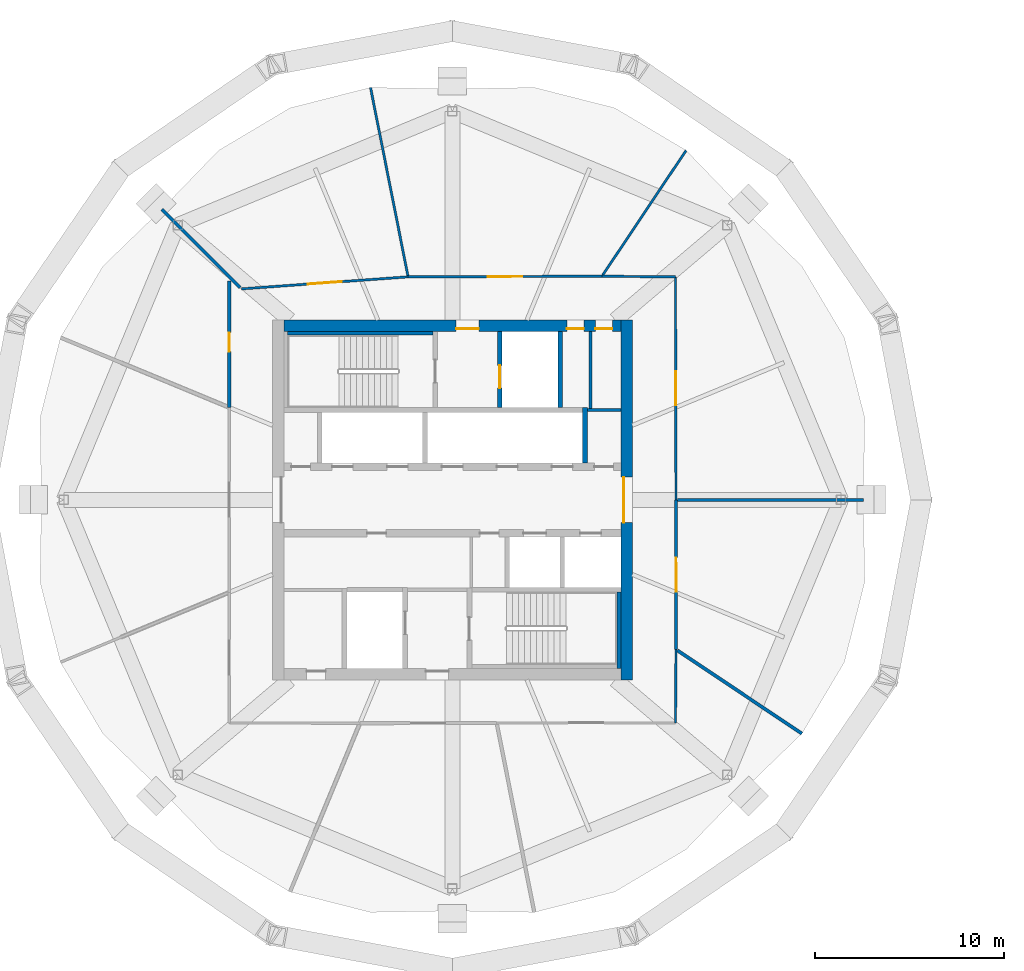
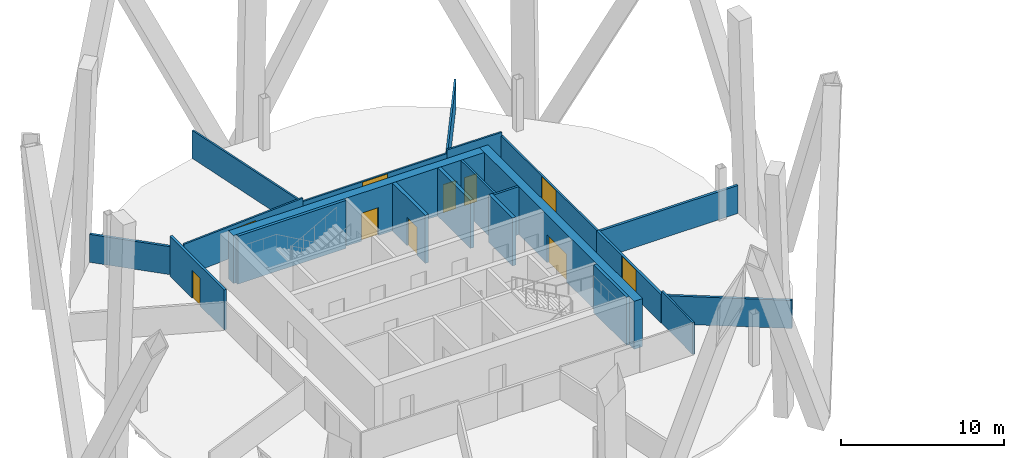
# One storey, part 5 of 10: 21 walls, 10 doors, 10 openings.
"""IFC4 building model written with IfcOpenShell, lengths in metres."""

from ifc_helpers import new_model, si_unit, direction, frame, frame_2d, origin, place, context, subcontext, project, spatial, rectangle, extrude, material, layer, layer_set, type_object, element, fill, save


model = new_model("IFC4")

# Units and contexts
model_context = context("Model", 3, precision=1e-05, world=origin(), true_north=direction((0.0, 1.0)))
body_context = subcontext(model_context, "Body", "Model", "MODEL_VIEW")
ifc_project = project(units=[si_unit("LENGTHUNIT", "METRE"), si_unit("AREAUNIT", "SQUARE_METRE"), si_unit("VOLUMEUNIT", "CUBIC_METRE"), si_unit("PLANEANGLEUNIT", "RADIAN"), si_unit("MASSUNIT", "GRAM", prefix="KILO")], contexts=[model_context])

# Site, building, storey
site_placement = place(None, origin())
site = spatial("IfcSite", under=ifc_project, at=site_placement, CompositionType="ELEMENT")
building_placement = place(site_placement, origin())
building = spatial("IfcBuilding", under=site, at=building_placement, Name="Ogive Gate Towers", CompositionType="ELEMENT")
storey_placement = place(building_placement, frame((0.0, 0.0, 185.10009765625)))
storey = spatial("IfcBuildingStorey", under=building, at=storey_placement, Name="L44", CompositionType="ELEMENT", Elevation=185.10009765625)

# Walls
ifc_material_1 = material(Name="Gypsum board acoustic partition")
ifc_layer_1 = layer(ifc_material_1, 0.175048828125)
ifc_layer_set_1 = layer_set([ifc_layer_1], Name="Acoustic partition 175")
wall_type_1 = type_object("IfcWallType", Name="Acoustic partition 175", PredefinedType="PARTITIONING", material=ifc_layer_set_1)
wall_1_placement = place(storey_placement, frame((-14.291015625, 0.0, 0.0), z_axis=(0.0, 0.0, 1.0), x_axis=(-1.0, 0.0, 0.0)))
element("IfcWall", 1, at=wall_1_placement, inside=storey, type_object=wall_type_1, Name="Partition T1-L44-001", PredefinedType="PARTITIONING", context=body_context, shape_type="SweptSolid", body=[
    extrude(rectangle(XDim=9.8115234375, YDim=0.175048828125, at=frame_2d((4.90576171875, 0.0))), origin(), (0.0, 0.0, 1.0), 2.099853515625),
])
wall_2_placement = place(storey_placement, frame((-51.3505859375, 15.3505859375, 0.0), z_axis=(0.0, 0.0, 1.0), x_axis=(0.707106781187, -0.707106781187, 0.0)))
element("IfcWall", 2, at=wall_2_placement, inside=storey, type_object=wall_type_1, Name="Partition T1-L44-004", PredefinedType="PARTITIONING", context=body_context, shape_type="SweptSolid", body=[
    extrude(rectangle(XDim=5.861572265625, YDim=0.175048828125, at=frame_2d((2.9306640625, 0.0))), origin(), (0.0, 0.0, 1.0), 2.099853515625),
])
wall_3_placement = place(storey_placement, frame((-17.537841796875, -12.345703125, 0.0), z_axis=(0.0, 0.0, 1.0), x_axis=(-0.831275639712, 0.555860423867, 0.0)))
element("IfcWall", 3, at=wall_3_placement, inside=storey, type_object=wall_type_1, Name="Partition T1-L44-009", PredefinedType="PARTITIONING", context=body_context, shape_type="SweptSolid", body=[
    extrude(rectangle(XDim=7.91162109375, YDim=0.175048828125, at=frame_2d((3.955810546875, 0.0))), origin(), (0.0, 0.0, 1.0), 2.099853515625),
])

# Wall, opening, door
wall_4_placement = place(storey_placement, frame((-24.187255859375, -7.899169921875, 0.0), z_axis=(0.0, 0.0, 1.0), x_axis=(-0.000339978345, 0.999999942207, 0.0)))
wall_4 = element("IfcWall", 4, at=wall_4_placement, inside=storey, type_object=wall_type_1, Name="Partition T1-L44-010", PredefinedType="PARTITIONING", context=body_context, shape_type="SweptSolid", body=[
    extrude(rectangle(XDim=7.899169921875, YDim=0.175048828125, at=frame_2d((3.94970703125, 0.0))), origin(), (0.0, 0.0, 1.0), 2.139892578125),
])
opening_1_placement = place(wall_4_placement, frame((3.050048828125, 0.0, 0.0)))
opening_1 = element("IfcOpeningElement", 5, at=opening_1_placement, cuts=wall_4, Name="Opening T1-L44-D01", PredefinedType="OPENING", context=body_context, shape_type="SweptSolid", body=[
    extrude(rectangle(XDim=1.800048828125, YDim=2.10009765625, at=frame_2d((0.89990234375, 1.050048828125))), frame((0.0, 0.09765625, 0.0), z_axis=(0.0, -1.0, 0.0), x_axis=(1.0, 0.0, 0.0)), (0.0, 0.0, 1.0), 0.195068359375),
])
ifc_material_2 = material(Name="Timber door", Category="wood")
door_type_1 = type_object("IfcDoorType", Name="Door pair 1800", OperationType="NOTDEFINED", PredefinedType="DOOR", material=ifc_material_2)
door_1_placement = place(opening_1_placement, origin())
door_1 = element("IfcDoor", 6, at=door_1_placement, inside=storey, type_object=door_type_1, Name="Door T1-L44-D01", OperationType="DOUBLE_DOOR_DOUBLE_SWING", OverallHeight=2.10009765625, OverallWidth=1.800048828125, PredefinedType="DOOR", context=body_context, shape_type="SweptSolid", body=[
    extrude(rectangle(XDim=1.800048828125, YDim=2.10009765625, at=frame_2d((0.89990234375, 1.050048828125))), frame((0.0, 0.02490234375, 0.0), z_axis=(0.0, -1.0, 0.0), x_axis=(1.0, 0.0, 0.0)), (0.0, 0.0, 1.0), 0.050048828125),
])
fill(opening_1, door_1)

wall_5_placement = place(storey_placement, frame((-47.7802734375, 11.55908203125, 0.0), z_axis=(0.0, 0.0, 1.0), x_axis=(-0.001426271223, -0.999998982875, 0.0)))
wall_5 = element("IfcWall", 7, at=wall_5_placement, inside=storey, type_object=wall_type_1, Name="Partition T1-L44-015", PredefinedType="PARTITIONING", context=body_context, shape_type="SweptSolid", body=[
    extrude(rectangle(XDim=6.67578125, YDim=0.175048828125, at=frame_2d((3.337890625, 0.0))), origin(), (0.0, 0.0, 1.0), 3.0),
])
opening_2_placement = place(wall_5_placement, frame((2.72705078125, 0.0, 0.0)))
opening_2 = element("IfcOpeningElement", 8, at=opening_2_placement, cuts=wall_5, Name="Opening T1-L44-D05", PredefinedType="OPENING", context=body_context, shape_type="SweptSolid", body=[
    extrude(rectangle(XDim=1.0, YDim=2.10009765625, at=frame_2d((0.5, 1.050048828125))), frame((0.0, 0.09765625, 0.0), z_axis=(0.0, -1.0, 0.0), x_axis=(1.0, 0.0, 0.0)), (0.0, 0.0, 1.0), 0.195068359375),
])
door_type_2 = type_object("IfcDoorType", Name="Door 1000", OperationType="NOTDEFINED", PredefinedType="DOOR", material=ifc_material_2)
door_2_placement = place(opening_2_placement, origin())
door_2 = element("IfcDoor", 9, at=door_2_placement, inside=storey, type_object=door_type_2, Name="Door T1-L44-D05", OperationType="SINGLE_SWING_RIGHT", OverallHeight=2.10009765625, OverallWidth=1.0, PredefinedType="DOOR", context=body_context, shape_type="SweptSolid", body=[
    extrude(rectangle(XDim=1.0, YDim=2.10009765625, at=frame_2d((0.5, 1.050048828125))), frame((0.0, 0.02490234375, 0.0), z_axis=(0.0, -1.0, 0.0), x_axis=(1.0, 0.0, 0.0)), (0.0, 0.0, 1.0), 0.050048828125),
])
fill(opening_2, door_2)

# Wall, openings, doors
ifc_material_3 = material(Name="Concrete C60/75", Category="concrete")
ifc_layer_2 = layer(ifc_material_3, 0.60009765625)
ifc_layer_set_2 = layer_set([ifc_layer_2], Name="Core wall 600 mm")
wall_type_2 = type_object("IfcWallType", Name="Core wall 600 mm", PredefinedType="SHEAR", material=ifc_layer_set_2)
wall_6_placement = place(storey_placement, frame((-44.89990234375, 9.199951171875, 0.0), z_axis=(0.0, 0.0, 1.0), x_axis=(1.0, 0.0, 0.0)))
wall_6 = element("IfcWall", 10, at=wall_6_placement, inside=storey, type_object=wall_type_2, Name="T1 L44 Core wall 600 mm", PredefinedType="SHEAR", context=body_context, shape_type="SweptSolid", body=[
    extrude(rectangle(XDim=17.7998046875, YDim=0.60009765625, at=frame_2d((8.89990234375, 0.0))), origin(), (0.0, 0.0, 1.0), 3.599853515625),
])
opening_3_placement = place(wall_6_placement, frame((9.10009765625, 0.0, 0.0)))
opening_3 = element("IfcOpeningElement", 11, at=opening_3_placement, cuts=wall_6, Name="Opening KD-T1-L44-18", PredefinedType="OPENING", context=body_context, shape_type="SweptSolid", body=[
    extrude(rectangle(XDim=1.199951171875, YDim=2.10009765625, at=frame_2d((0.60009765625, 1.050048828125))), frame((0.0, 0.31005859375, 0.0), z_axis=(0.0, -1.0, 0.0), x_axis=(1.0, 0.0, 0.0)), (0.0, 0.0, 1.0), 0.6201171875),
])
opening_4_placement = place(wall_6_placement, frame((14.949951171875, 0.0, 0.0)))
opening_4 = element("IfcOpeningElement", 12, at=opening_4_placement, cuts=wall_6, Name="Opening KD-T1-L44-20", PredefinedType="OPENING", context=body_context, shape_type="SweptSolid", body=[
    extrude(rectangle(XDim=0.89990234375, YDim=2.10009765625, at=frame_2d((0.449951171875, 1.050048828125))), frame((0.0, 0.31005859375, 0.0), z_axis=(0.0, -1.0, 0.0), x_axis=(1.0, 0.0, 0.0)), (0.0, 0.0, 1.0), 0.6201171875),
])
opening_5_placement = place(wall_6_placement, frame((16.449951171875, 0.0, 0.0)))
opening_5 = element("IfcOpeningElement", 13, at=opening_5_placement, cuts=wall_6, Name="Opening KD-T1-L44-21", PredefinedType="OPENING", context=body_context, shape_type="SweptSolid", body=[
    extrude(rectangle(XDim=0.89990234375, YDim=2.10009765625, at=frame_2d((0.449951171875, 1.050048828125))), frame((0.0, 0.31005859375, 0.0), z_axis=(0.0, -1.0, 0.0), x_axis=(1.0, 0.0, 0.0)), (0.0, 0.0, 1.0), 0.6201171875),
])
door_type_3 = type_object("IfcDoorType", Name="Core WC door 900 x 2100", OperationType="NOTDEFINED", PredefinedType="DOOR", material=ifc_material_2)
door_3_placement = place(opening_4_placement, origin())
door_3 = element("IfcDoor", 14, at=door_3_placement, inside=storey, type_object=door_type_3, Name="T1 L44 Core door", OperationType="SINGLE_SWING_LEFT", OverallHeight=2.10009765625, OverallWidth=0.89990234375, PredefinedType="DOOR", context=body_context, shape_type="SweptSolid", body=[
    extrude(rectangle(XDim=0.89990234375, YDim=2.10009765625, at=frame_2d((0.449951171875, 1.050048828125))), frame((0.0, -0.125, 0.0), z_axis=(0.0, -1.0, 0.0), x_axis=(1.0, 0.0, 0.0)), (0.0, 0.0, 1.0), 0.050048828125),
])
fill(opening_4, door_3)
door_4_placement = place(opening_5_placement, origin())
door_4 = element("IfcDoor", 15, at=door_4_placement, inside=storey, type_object=door_type_3, Name="T1 L44 Core door", OperationType="SINGLE_SWING_RIGHT", OverallHeight=2.10009765625, OverallWidth=0.89990234375, PredefinedType="DOOR", context=body_context, shape_type="SweptSolid", body=[
    extrude(rectangle(XDim=0.89990234375, YDim=2.10009765625, at=frame_2d((0.449951171875, 1.050048828125))), frame((0.0, -0.125, 0.0), z_axis=(0.0, -1.0, 0.0), x_axis=(1.0, 0.0, 0.0)), (0.0, 0.0, 1.0), 0.050048828125),
])
fill(opening_5, door_4)
ifc_material_4 = material(Name="Steel fire door", Category="steel")
door_type_4 = type_object("IfcDoorType", Name="Core door FD60S 1200 x 2100", OperationType="NOTDEFINED", PredefinedType="DOOR", material=ifc_material_4)
door_5_placement = place(opening_3_placement, origin())
door_5 = element("IfcDoor", 16, at=door_5_placement, inside=storey, type_object=door_type_4, Name="T1 L44 Fire-fighting lobby door", OperationType="SINGLE_SWING_LEFT", OverallHeight=2.10009765625, OverallWidth=1.199951171875, PredefinedType="DOOR", context=body_context, shape_type="SweptSolid", body=[
    extrude(rectangle(XDim=1.199951171875, YDim=2.10009765625, at=frame_2d((0.60009765625, 1.050048828125))), frame((0.0, -0.125, 0.0), z_axis=(0.0, -1.0, 0.0), x_axis=(1.0, 0.0, 0.0)), (0.0, 0.0, 1.0), 0.050048828125),
])
fill(opening_3, door_5)

# Wall, opening, door
wall_7_placement = place(storey_placement, frame((-26.800048828125, -9.5, 0.0), z_axis=(0.0, 0.0, 1.0), x_axis=(0.0, 1.0, 0.0)))
wall_7 = element("IfcWall", 17, at=wall_7_placement, inside=storey, type_object=wall_type_2, Name="T1 L44 Core wall 600 mm", PredefinedType="SHEAR", context=body_context, shape_type="SweptSolid", body=[
    extrude(rectangle(XDim=19.0, YDim=0.60009765625, at=frame_2d((9.5, 0.0))), origin(), (0.0, 0.0, 1.0), 3.599853515625),
])
opening_6_placement = place(wall_7_placement, frame((8.300048828125, 0.0, 0.0)))
opening_6 = element("IfcOpeningElement", 18, at=opening_6_placement, cuts=wall_7, Name="Opening KD-T1-L44-02", PredefinedType="OPENING", context=body_context, shape_type="SweptSolid", body=[
    extrude(rectangle(XDim=2.39990234375, YDim=2.10009765625, at=frame_2d((1.199951171875, 1.050048828125))), frame((0.0, 0.31005859375, 0.0), z_axis=(0.0, -1.0, 0.0), x_axis=(1.0, 0.0, 0.0)), (0.0, 0.0, 1.0), 0.6201171875),
])
door_type_5 = type_object("IfcDoorType", Name="Core double door FD60S 2400 x 2100", OperationType="DOUBLE_DOOR_SINGLE_SWING", PredefinedType="DOOR", material=ifc_material_4)
door_6_placement = place(opening_6_placement, origin())
door_6 = element("IfcDoor", 19, at=door_6_placement, inside=storey, type_object=door_type_5, Name="T1 L44 Core door double", OperationType="DOUBLE_DOOR_SINGLE_SWING", OverallHeight=2.10009765625, OverallWidth=2.39990234375, PredefinedType="DOOR", context=body_context, shape_type="SweptSolid", body=[
    extrude(rectangle(XDim=2.39990234375, YDim=2.10009765625, at=frame_2d((1.199951171875, 1.050048828125))), frame((0.0, 0.1748046875, 0.0), z_axis=(0.0, -1.0, 0.0), x_axis=(1.0, 0.0, 0.0)), (0.0, 0.0, 1.0), 0.050048828125),
])
fill(opening_6, door_6)

# Walls
ifc_material_5 = material(Name="Gypsum board partition")
ifc_layer_3 = layer(ifc_material_5, 0.125)
ifc_layer_set_3 = layer_set([ifc_layer_3], Name="Partition 125")
wall_type_3 = type_object("IfcWallType", Name="Partition 125", PredefinedType="PARTITIONING", material=ifc_layer_set_3)
wall_8_placement = place(storey_placement, frame((-23.654296875, 18.462158203125, 0.0), z_axis=(0.0, 0.0, 1.0), x_axis=(-0.555863865151, -0.831273338571, 0.0)))
element("IfcWall", 20, at=wall_8_placement, inside=storey, type_object=wall_type_3, Name="Partition T1-L44-002", PredefinedType="PARTITIONING", context=body_context, shape_type="SweptSolid", body=[
    extrude(rectangle(XDim=7.9365234375, YDim=0.125, at=frame_2d((3.96826171875, 0.0))), origin(), (0.0, 0.0, 1.0), 2.099853515625),
])
wall_9_placement = place(storey_placement, frame((-40.324951171875, 21.784423828125, 0.0), z_axis=(0.0, 0.0, 1.0), x_axis=(0.194731025015, -0.98085668061, 0.0)))
element("IfcWall", 21, at=wall_9_placement, inside=storey, type_object=wall_type_3, Name="Partition T1-L44-003", PredefinedType="PARTITIONING", context=body_context, shape_type="SweptSolid", body=[
    extrude(rectangle(XDim=10.136474609375, YDim=0.125, at=frame_2d((5.068359375, 0.0))), origin(), (0.0, 0.0, 1.0), 2.099853515625),
])

# Wall, opening, door
wall_10_placement = place(storey_placement, frame((-24.18994140625, 0.0, 0.0), z_axis=(0.0, 0.0, 1.0), x_axis=(-0.002549161683, 0.999996750882, 0.0)))
wall_10 = element("IfcWall", 22, at=wall_10_placement, inside=storey, type_object=wall_type_3, Name="Partition T1-L44-011", PredefinedType="PARTITIONING", context=body_context, shape_type="SweptSolid", body=[
    extrude(rectangle(XDim=11.780029296875, YDim=0.125, at=frame_2d((5.89013671875, 0.0))), origin(), (0.0, 0.0, 1.0), 2.139892578125),
])
opening_7_placement = place(wall_10_placement, frame((4.989990234375, 0.0, 0.0)))
opening_7 = element("IfcOpeningElement", 23, at=opening_7_placement, cuts=wall_10, Name="Opening T1-L44-D02", PredefinedType="OPENING", context=body_context, shape_type="SweptSolid", body=[
    extrude(rectangle(XDim=1.800048828125, YDim=2.10009765625, at=frame_2d((0.89990234375, 1.050048828125))), frame((0.0, 0.072509765625, 0.0), z_axis=(0.0, -1.0, 0.0), x_axis=(1.0, 0.0, 0.0)), (0.0, 0.0, 1.0), 0.14501953125),
])
door_7_placement = place(opening_7_placement, origin())
door_7 = element("IfcDoor", 24, at=door_7_placement, inside=storey, type_object=door_type_1, Name="Door T1-L44-D02", OperationType="DOUBLE_DOOR_DOUBLE_SWING", OverallHeight=2.10009765625, OverallWidth=1.800048828125, PredefinedType="DOOR", context=body_context, shape_type="SweptSolid", body=[
    extrude(rectangle(XDim=1.800048828125, YDim=2.10009765625, at=frame_2d((0.89990234375, 1.050048828125))), frame((0.0, 0.02490234375, 0.0), z_axis=(0.0, -1.0, 0.0), x_axis=(1.0, 0.0, 0.0)), (0.0, 0.0, 1.0), 0.050048828125),
])
fill(opening_7, door_7)

# Wall
wall_11_placement = place(storey_placement, frame((-24.219970703125, 11.780029296875, 0.0), z_axis=(0.0, 0.0, 1.0), x_axis=(-0.999964471183, 0.008429494158, 0.0)))
element("IfcWall", 25, at=wall_11_placement, inside=storey, type_object=wall_type_3, Name="Partition T1-L44-012", PredefinedType="PARTITIONING", context=body_context, shape_type="SweptSolid", body=[
    extrude(rectangle(XDim=3.881103515625, YDim=0.125, at=frame_2d((1.9404296875, 0.0))), origin(), (0.0, 0.0, 1.0), 2.39990234375),
])

# Wall, opening, door
wall_12_placement = place(storey_placement, frame((-28.100830078125, 11.812744140625, 0.0), z_axis=(0.0, 0.0, 1.0), x_axis=(-0.999995120716, -0.003123866956, 0.0)))
wall_12 = element("IfcWall", 26, at=wall_12_placement, inside=storey, type_object=wall_type_3, Name="Partition T1-L44-013", PredefinedType="PARTITIONING", context=body_context, shape_type="SweptSolid", body=[
    extrude(rectangle(XDim=10.238037109375, YDim=0.125, at=frame_2d((5.119140625, 0.0))), origin(), (0.0, 0.0, 1.0), 2.139892578125),
])
opening_8_placement = place(wall_12_placement, frame((4.218994140625, 0.0, 0.0)))
opening_8 = element("IfcOpeningElement", 27, at=opening_8_placement, cuts=wall_12, Name="Opening T1-L44-D03", PredefinedType="OPENING", context=body_context, shape_type="SweptSolid", body=[
    extrude(rectangle(XDim=1.800048828125, YDim=2.10009765625, at=frame_2d((0.89990234375, 1.050048828125))), frame((0.0, 0.072509765625, 0.0), z_axis=(0.0, -1.0, 0.0), x_axis=(1.0, 0.0, 0.0)), (0.0, 0.0, 1.0), 0.14501953125),
])
door_8_placement = place(opening_8_placement, origin())
door_8 = element("IfcDoor", 28, at=door_8_placement, inside=storey, type_object=door_type_1, Name="Door T1-L44-D03", OperationType="DOUBLE_DOOR_DOUBLE_SWING", OverallHeight=2.10009765625, OverallWidth=1.800048828125, PredefinedType="DOOR", context=body_context, shape_type="SweptSolid", body=[
    extrude(rectangle(XDim=1.800048828125, YDim=2.10009765625, at=frame_2d((0.89990234375, 1.050048828125))), frame((0.0, 0.02490234375, 0.0), z_axis=(0.0, -1.0, 0.0), x_axis=(1.0, 0.0, 0.0)), (0.0, 0.0, 1.0), 0.050048828125),
])
fill(opening_8, door_8)

wall_13_placement = place(storey_placement, frame((-38.3388671875, 11.78076171875, 0.0), z_axis=(0.0, 0.0, 1.0), x_axis=(-0.997395705501, -0.072123551266, 0.0)))
wall_13 = element("IfcWall", 29, at=wall_13_placement, inside=storey, type_object=wall_type_3, Name="Partition T1-L44-014", PredefinedType="PARTITIONING", context=body_context, shape_type="SweptSolid", body=[
    extrude(rectangle(XDim=8.828125, YDim=0.125, at=frame_2d((4.4140625, 0.0))), origin(), (0.0, 0.0, 1.0), 2.39990234375),
])
opening_9_placement = place(wall_13_placement, frame((3.513916015625, 0.0, 0.0)))
opening_9 = element("IfcOpeningElement", 30, at=opening_9_placement, cuts=wall_13, Name="Opening T1-L44-D04", PredefinedType="OPENING", context=body_context, shape_type="SweptSolid", body=[
    extrude(rectangle(XDim=1.800048828125, YDim=2.10009765625, at=frame_2d((0.89990234375, 1.050048828125))), frame((0.0, 0.072509765625, 0.0), z_axis=(0.0, -1.0, 0.0), x_axis=(1.0, 0.0, 0.0)), (0.0, 0.0, 1.0), 0.14501953125),
])
door_9_placement = place(opening_9_placement, origin())
door_9 = element("IfcDoor", 31, at=door_9_placement, inside=storey, type_object=door_type_1, Name="Door T1-L44-D04", OperationType="DOUBLE_DOOR_DOUBLE_SWING", OverallHeight=2.10009765625, OverallWidth=1.800048828125, PredefinedType="DOOR", context=body_context, shape_type="SweptSolid", body=[
    extrude(rectangle(XDim=1.800048828125, YDim=2.10009765625, at=frame_2d((0.89990234375, 1.050048828125))), frame((0.0, 0.02490234375, 0.0), z_axis=(0.0, -1.0, 0.0), x_axis=(1.0, 0.0, 0.0)), (0.0, 0.0, 1.0), 0.050048828125),
])
fill(opening_9, door_9)

# Walls
wall_14_placement = place(storey_placement, frame((-24.219970703125, -11.780029296875, 0.0), z_axis=(0.0, 0.0, 1.0), x_axis=(0.008429494158, 0.999964471183, 0.0)))
element("IfcWall", 32, at=wall_14_placement, inside=storey, type_object=wall_type_3, Name="Partition T1-L44-021", PredefinedType="PARTITIONING", context=body_context, shape_type="SweptSolid", body=[
    extrude(rectangle(XDim=3.881103515625, YDim=0.125, at=frame_2d((1.9404296875, 0.0))), origin(), (0.0, 0.0, 1.0), 2.39990234375),
])
ifc_layer_4 = layer(ifc_material_5, 0.14990234375)
ifc_layer_set_4 = layer_set([ifc_layer_4], Name="Room partition 150 mm")
wall_type_4 = type_object("IfcWallType", Name="Room partition 150 mm", PredefinedType="PARTITIONING", material=ifc_layer_set_4)
wall_15_placement = place(storey_placement, frame((-28.875, 4.75, 0.0), z_axis=(0.0, 0.0, 1.0), x_axis=(1.0, 0.0, 0.0)))
element("IfcWall", 33, at=wall_15_placement, inside=storey, type_object=wall_type_4, Name="T1 L44 Room partition 150 mm", PredefinedType="PARTITIONING", context=body_context, shape_type="SweptSolid", body=[
    extrude(rectangle(XDim=1.77490234375, YDim=0.14990234375, at=frame_2d((0.887451171875, 0.0))), origin(), (0.0, 0.0, 1.0), 3.599853515625),
])
wall_16_placement = place(storey_placement, frame((-28.699951171875, 4.824951171875, 0.0), z_axis=(0.0, 0.0, 1.0), x_axis=(0.0, 1.0, 0.0)))
element("IfcWall", 34, at=wall_16_placement, inside=storey, type_object=wall_type_4, Name="T1 L44 Room partition 150 mm", PredefinedType="PARTITIONING", context=body_context, shape_type="SweptSolid", body=[
    extrude(rectangle(XDim=4.074951171875, YDim=0.14990234375, at=frame_2d((2.03759765625, 0.0))), origin(), (0.0, 0.0, 1.0), 3.599853515625),
])

# Wall, opening, door
ifc_layer_5 = layer(ifc_material_3, 0.25)
ifc_layer_set_5 = layer_set([ifc_layer_5], Name="Shaft wall 250 mm")
wall_type_5 = type_object("IfcWallType", Name="Shaft wall 250 mm", PredefinedType="SHEAR", material=ifc_layer_set_5)
wall_17_placement = place(storey_placement, frame((-33.5, 4.875, 0.0), z_axis=(0.0, 0.0, 1.0), x_axis=(0.0, 1.0, 0.0)))
wall_17 = element("IfcWall", 35, at=wall_17_placement, inside=storey, type_object=wall_type_5, Name="T1 L44 Shaft wall 250 mm", PredefinedType="SHEAR", context=body_context, shape_type="SweptSolid", body=[
    extrude(rectangle(XDim=4.02490234375, YDim=0.25, at=frame_2d((2.012451171875, 0.0))), origin(), (0.0, 0.0, 1.0), 3.599853515625),
])
opening_10_placement = place(wall_17_placement, frame((1.02490234375, 0.0, 0.0)))
opening_10 = element("IfcOpeningElement", 36, at=opening_10_placement, cuts=wall_17, Name="Opening LD-T1-L44-12", PredefinedType="OPENING", context=body_context, shape_type="SweptSolid", body=[
    extrude(rectangle(XDim=1.199951171875, YDim=2.10009765625, at=frame_2d((0.60009765625, 1.050048828125))), frame((0.0, 0.135009765625, 0.0), z_axis=(0.0, -1.0, 0.0), x_axis=(1.0, 0.0, 0.0)), (0.0, 0.0, 1.0), 0.27001953125),
])
ifc_material_6 = material(Name="Stainless steel landing door", Category="steel")
door_type_6 = type_object("IfcDoorType", Name="Landing door 1200 x 2100", OperationType="SLIDING_TO_LEFT", PredefinedType="DOOR", material=ifc_material_6)
door_10_placement = place(opening_10_placement, origin())
door_10 = element("IfcDoor", 37, at=door_10_placement, inside=storey, type_object=door_type_6, Name="T1 L44 Lift landing door FF1", OperationType="SLIDING_TO_LEFT", OverallHeight=2.10009765625, OverallWidth=1.199951171875, PredefinedType="DOOR", context=body_context, shape_type="SweptSolid", body=[
    extrude(rectangle(XDim=1.199951171875, YDim=2.10009765625, at=frame_2d((0.60009765625, 1.050048828125))), frame((0.0, 0.02490234375, 0.0), z_axis=(0.0, -1.0, 0.0), x_axis=(1.0, 0.0, 0.0)), (0.0, 0.0, 1.0), 0.050048828125),
])
fill(opening_10, door_10)

# Walls
wall_18_placement = place(storey_placement, frame((-30.300048828125, 4.875, 0.0), z_axis=(0.0, 0.0, 1.0), x_axis=(0.0, 1.0, 0.0)))
element("IfcWall", 38, at=wall_18_placement, inside=storey, type_object=wall_type_5, Name="T1 L44 Shaft wall 250 mm", PredefinedType="SHEAR", context=body_context, shape_type="SweptSolid", body=[
    extrude(rectangle(XDim=4.02490234375, YDim=0.25, at=frame_2d((2.012451171875, 0.0))), origin(), (0.0, 0.0, 1.0), 3.599853515625),
])
wall_19_placement = place(storey_placement, frame((-29.0, 1.949951171875, 0.0), z_axis=(0.0, 0.0, 1.0), x_axis=(0.0, 1.0, 0.0)))
element("IfcWall", 39, at=wall_19_placement, inside=storey, type_object=wall_type_5, Name="T1 L44 Shaft wall 250 mm", PredefinedType="SHEAR", context=body_context, shape_type="SweptSolid", body=[
    extrude(rectangle(XDim=2.925048828125, YDim=0.25, at=frame_2d((1.46240234375, 0.0))), origin(), (0.0, 0.0, 1.0), 3.599853515625),
])
ifc_layer_6 = layer(ifc_material_3, 0.199951171875)
ifc_layer_set_6 = layer_set([ifc_layer_6], Name="Stair wall 200 mm")
wall_type_6 = type_object("IfcWallType", Name="Stair wall 200 mm", PredefinedType="SHEAR", material=ifc_layer_set_6)
wall_20_placement = place(storey_placement, frame((-44.699951171875, 8.800048828125, 0.0), z_axis=(0.0, 0.0, 1.0), x_axis=(1.0, 0.0, 0.0)))
element("IfcWall", 40, at=wall_20_placement, inside=storey, type_object=wall_type_6, Name="T1 L44 Stair wall 200 mm", PredefinedType="SHEAR", context=body_context, shape_type="SweptSolid", body=[
    extrude(rectangle(XDim=7.675048828125, YDim=0.199951171875, at=frame_2d((3.83740234375, 0.0))), origin(), (0.0, 0.0, 1.0), 3.599853515625),
])
wall_21_placement = place(storey_placement, frame((-27.199951171875, -8.89990234375, 0.0), z_axis=(0.0, 0.0, 1.0), x_axis=(0.0, 1.0, 0.0)))
element("IfcWall", 41, at=wall_21_placement, inside=storey, type_object=wall_type_6, Name="T1 L44 Stair wall 200 mm", PredefinedType="SHEAR", context=body_context, shape_type="SweptSolid", body=[
    extrude(rectangle(XDim=4.02490234375, YDim=0.199951171875, at=frame_2d((2.012451171875, 0.0))), origin(), (0.0, 0.0, 1.0), 3.599853515625),
])

save(model, "model.ifc")
